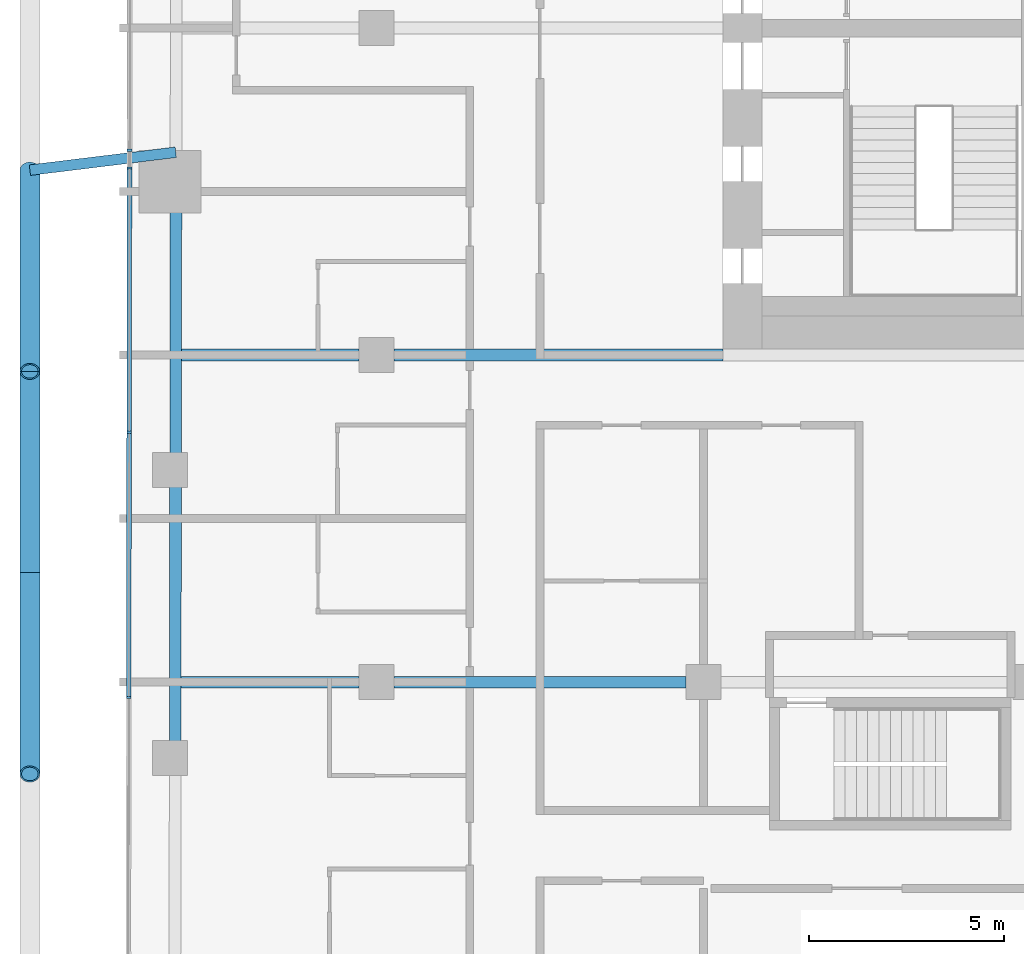
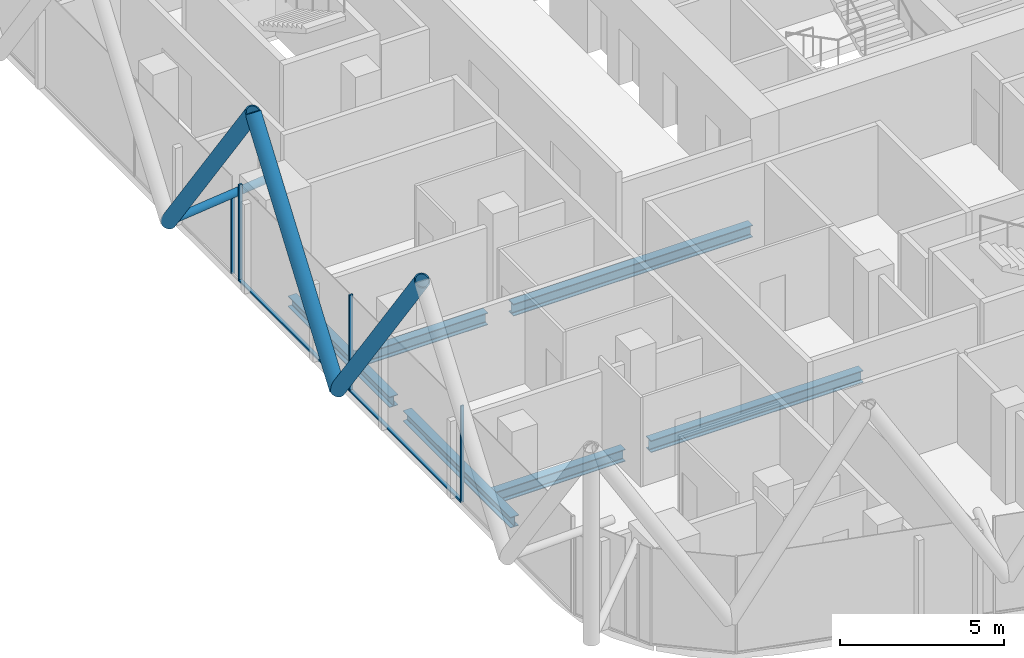
# One storey, part 4 of 36: 10 members, 6 beams, 2 elements without a shape of their own.
"""IFC4 building model written with IfcOpenShell, lengths in metres."""

from ifc_helpers import new_model, si_unit, direction, frame, origin, origin_2d, place, context, subcontext, project, spatial, rectangle, hollow_circle, i_section, extrude, material, layer, layer_set, material_profile, profile_set, type_object, element, aggregate, save


model = new_model("IFC4")

# Units and contexts
model_context = context("Model", 3, precision=1e-05, world=origin(), true_north=direction((0.0, 1.0)))
body_context = subcontext(model_context, "Body", "Model", "MODEL_VIEW")
ifc_project = project(units=[si_unit("LENGTHUNIT", "METRE"), si_unit("AREAUNIT", "SQUARE_METRE"), si_unit("VOLUMEUNIT", "CUBIC_METRE"), si_unit("PLANEANGLEUNIT", "RADIAN"), si_unit("MASSUNIT", "GRAM", prefix="KILO")], contexts=[model_context])

# Site, building, storey
site_placement = place(None, origin())
site = spatial("IfcSite", under=ifc_project, at=site_placement, CompositionType="ELEMENT")
building_placement = place(site_placement, origin())
building = spatial("IfcBuilding", under=site, at=building_placement, Name="Marenta Gate Hotel Tower", CompositionType="ELEMENT")
storey_placement = place(building_placement, frame((0.0, 0.0, 144.5)))
storey = spatial("IfcBuildingStorey", under=building, at=storey_placement, Name="L33", CompositionType="ELEMENT", Elevation=144.5)

# Members
ifc_material_1 = material(Name="Steel S355J2W", Category="steel")
ifc_material_profile_1 = material_profile(ifc_material_1, hollow_circle(Radius=0.25390625, WallThickness=0.0400390625, at=origin_2d()), Name="CHS 508x40")
ifc_profile_set_1 = profile_set([ifc_material_profile_1], Name="Steel S355J2W")
member_type_1 = type_object("IfcMemberType", Name="Diagrid diagonal Z2 CHS 508x40", PredefinedType="BRACE", material=ifc_profile_set_1)
for number, where, z_axis, x_axis, name in (
    (1, (-29.89990234375, -5.590087890625, 3.139892578125), (0.0, -0.583247791947, 0.812294289767), (1.0, 0.0, 0.0), "L33-DG-27"),
    (2, (-29.89990234375, -5.590087890625, 3.139892578125), (0.0, 0.583247791947, 0.812294289767), (-1.0, 0.0, 0.0), "L33-DG-28"),
):
    element("IfcMember", number, at=place(storey_placement, frame(where, z_axis=z_axis, x_axis=x_axis)), inside=storey, type_object=member_type_1, Name=name, PredefinedType="BRACE", context=body_context, shape_type="SweptSolid", body=[
        extrude(hollow_circle(Radius=0.25390625, WallThickness=0.0400390625, at=origin_2d()), origin(), (0.0, 0.0, 1.0), 8.864013671875),
    ])
member_1_placement = place(storey_placement, frame((-29.89990234375, 4.75, 3.139892578125), z_axis=(0.0, -0.583265964901, 0.81228124082), x_axis=(1.0, 0.0, 0.0)))
element("IfcMember", 3, at=member_1_placement, inside=storey, type_object=member_type_1, Name="L33-DG-29", PredefinedType="BRACE", context=body_context, shape_type="SweptSolid", body=[
    extrude(hollow_circle(Radius=0.25390625, WallThickness=0.0400390625, at=origin_2d()), origin(), (0.0, 0.0, 1.0), 8.8642578125),
])

# Beams
ifc_material_2 = material(Name="Steel S355", Category="steel")
ifc_material_profile_2 = material_profile(ifc_material_2, i_section(OverallWidth=0.300048828125, OverallDepth=0.39990234375, WebThickness=0.013427734375, FlangeThickness=0.02392578125, FilletRadius=0.027099609375, at=origin_2d()), Name="HEB 400")
ifc_profile_set_2 = profile_set([ifc_material_profile_2], Name="Steel S355")
beam_type_1 = type_object("IfcBeamType", Name="Edge beam HEB 400", PredefinedType="SPANDREL", material=ifc_profile_set_2)
beam_1_placement = place(storey_placement, frame((-26.167236328125, -9.94189453125, -0.4599609375), z_axis=(0.001372605919, 0.999999057976, 0.0), x_axis=(-0.999999057976, 0.001372605919, 0.0)))
element("IfcBeam", 4, at=beam_1_placement, inside=storey, type_object=beam_type_1, Name="L33-EB-6", PredefinedType="SPANDREL", context=body_context, shape_type="SweptSolid", body=[
    extrude(i_section(OverallWidth=0.300048828125, OverallDepth=0.39990234375, WebThickness=0.013427734375, FlangeThickness=0.02392578125, FilletRadius=0.027099609375, at=origin_2d()), origin(), (0.0, 0.0, 1.0), 6.5810546875),
])
beam_2_placement = place(storey_placement, frame((-26.156982421875, -2.541015625, -0.4599609375), z_axis=(0.001371364591, 0.999999059679, 0.0), x_axis=(-0.999999059679, 0.001371364591, 0.0)))
element("IfcBeam", 5, at=beam_2_placement, inside=storey, type_object=beam_type_1, Name="L33-EB-7", PredefinedType="SPANDREL", context=body_context, shape_type="SweptSolid", body=[
    extrude(i_section(OverallWidth=0.300048828125, OverallDepth=0.39990234375, WebThickness=0.013427734375, FlangeThickness=0.02392578125, FilletRadius=0.027099609375, at=origin_2d()), origin(), (0.0, 0.0, 1.0), 6.23095703125),
])

# Member
ifc_material_3 = material(Name="Steel S355J2W", Category="steel")
ifc_material_profile_3 = material_profile(ifc_material_3, hollow_circle(Radius=0.136474609375, WallThickness=0.012451171875, at=origin_2d()), Name="CHS 273x12.5")
ifc_profile_set_3 = profile_set([ifc_material_profile_3], Name="Steel S355J2W")
member_type_2 = type_object("IfcMemberType", Name="Floor tie CHS 273x12.5", PredefinedType="STRUT", material=ifc_profile_set_3)
member_2_placement = place(storey_placement, frame((-29.89990234375, 4.75, 3.139892578125), z_axis=(0.992572528932, 0.121654325075, 0.0), x_axis=(-0.121654325075, 0.992572528932, 0.0)))
element("IfcMember", 6, at=member_2_placement, inside=storey, type_object=member_type_2, Name="L33-DR-20", PredefinedType="STRUT", context=body_context, shape_type="SweptSolid", body=[
    extrude(hollow_circle(Radius=0.136474609375, WallThickness=0.012451171875, at=origin_2d()), origin(), (0.0, 0.0, 1.0), 3.77490234375),
])

# Beams
ifc_material_4 = material(Name="Steel S355", Category="steel")
ifc_material_profile_4 = material_profile(ifc_material_4, i_section(OverallWidth=0.300048828125, OverallDepth=0.449951171875, WebThickness=0.013916015625, FlangeThickness=0.02587890625, FilletRadius=0.027099609375, at=origin_2d()), Name="HEB 450")
ifc_profile_set_4 = profile_set([ifc_material_profile_4], Name="Steel S355")
beam_type_2 = type_object("IfcBeamType", Name="Girder HEB 450", PredefinedType="BEAM", material=ifc_profile_set_4)
beam_3_placement = place(storey_placement, frame((-26.01513671875, -8.39990234375, -0.485107421875), z_axis=(1.0, 0.0, 0.0), x_axis=(0.0, 1.0, 0.0)))
element("IfcBeam", 7, at=beam_3_placement, inside=storey, type_object=beam_type_2, Name="L33-GD-8", PredefinedType="BEAM", context=body_context, shape_type="SweptSolid", body=[
    extrude(i_section(OverallWidth=0.300048828125, OverallDepth=0.449951171875, WebThickness=0.013916015625, FlangeThickness=0.02587890625, FilletRadius=0.027099609375, at=origin_2d()), origin(), (0.0, 0.0, 1.0), 4.565185546875),
])
beam_4_placement = place(storey_placement, frame((-20.550048828125, -8.39990234375, -0.485107421875), z_axis=(1.0, 0.0, 0.0), x_axis=(0.0, 1.0, 0.0)))
element("IfcBeam", 8, at=beam_4_placement, inside=storey, type_object=beam_type_2, Name="L33-GD-9", PredefinedType="BEAM", context=body_context, shape_type="SweptSolid", body=[
    extrude(i_section(OverallWidth=0.300048828125, OverallDepth=0.449951171875, WebThickness=0.013916015625, FlangeThickness=0.02587890625, FilletRadius=0.027099609375, at=origin_2d()), origin(), (0.0, 0.0, 1.0), 7.5),
])
beam_5_placement = place(storey_placement, frame((-26.003662109375, 0.0, -0.485107421875), z_axis=(1.0, 0.0, 0.0), x_axis=(0.0, 1.0, 0.0)))
element("IfcBeam", 9, at=beam_5_placement, inside=storey, type_object=beam_type_2, Name="L33-GD-15", PredefinedType="BEAM", context=body_context, shape_type="SweptSolid", body=[
    extrude(i_section(OverallWidth=0.300048828125, OverallDepth=0.449951171875, WebThickness=0.013916015625, FlangeThickness=0.02587890625, FilletRadius=0.027099609375, at=origin_2d()), origin(), (0.0, 0.0, 1.0), 4.5537109375),
])
beam_6_placement = place(storey_placement, frame((-20.550048828125, 0.0, -0.485107421875), z_axis=(1.0, 0.0, 0.0), x_axis=(0.0, 1.0, 0.0)))
element("IfcBeam", 10, at=beam_6_placement, inside=storey, type_object=beam_type_2, Name="L33-GD-16", PredefinedType="BEAM", context=body_context, shape_type="SweptSolid", body=[
    extrude(i_section(OverallWidth=0.300048828125, OverallDepth=0.449951171875, WebThickness=0.013916015625, FlangeThickness=0.02587890625, FilletRadius=0.027099609375, at=origin_2d()), origin(), (0.0, 0.0, 1.0), 8.449951171875),
])

# Curtain wall, member
ifc_material_5 = material(Name="Tinted insulated glass in bronze anodised frame", Category="glass")
ifc_layer = layer(ifc_material_5, 0.1201171875)
ifc_layer_set = layer_set([ifc_layer], Name="Tinted insulated glass in bronze anodised frame")
curtain_wall_type = type_object("IfcCurtainWallType", Name="Tower unitised curtain wall CW1", PredefinedType="NOTDEFINED", material=ifc_layer_set)
curtain_wall_1_placement = place(storey_placement, origin())
curtain_wall_1 = element("IfcCurtainWall", 11, at=curtain_wall_1_placement, inside=storey, type_object=curtain_wall_type, Name="CW1 run G07", PredefinedType="NOTDEFINED")
ifc_material_6 = material(Name="Bronze anodised aluminium", Category="aluminium")
ifc_material_profile_5 = material_profile(ifc_material_6, rectangle(XDim=0.1201171875, YDim=0.06005859375, at=origin_2d()), Name="Mullion CW1 60x120 bronze anodised aluminium")
ifc_profile_set_5 = profile_set([ifc_material_profile_5], Name="Bronze anodised aluminium")
member_type_3 = type_object("IfcMemberType", Name="Mullion CW1 60x120 bronze anodised aluminium", PredefinedType="MULLION", material=ifc_profile_set_5)
member_3_placement = place(storey_placement, frame((-27.34033203125, 5.261962890625, 0.0), z_axis=(0.0, 0.0, 1.0), x_axis=(0.999998824335, -0.001533404542, 0.0)))
member_3 = element("IfcMember", 12, at=member_3_placement, type_object=member_type_3, Name="CW1 mullion 1", PredefinedType="MULLION", context=body_context, shape_type="SweptSolid", body=[
    extrude(rectangle(XDim=0.1201171875, YDim=0.06005859375, at=origin_2d()), origin(), (0.0, 0.0, 1.0), 3.00048828125),
])
aggregate(curtain_wall_1, [member_3])

# Curtain wall, members
curtain_wall_2_placement = place(storey_placement, origin())
curtain_wall_2 = element("IfcCurtainWall", 13, at=curtain_wall_2_placement, inside=storey, type_object=curtain_wall_type, Name="CW1 run G08", PredefinedType="NOTDEFINED")
member_4_placement = place(storey_placement, frame((-27.341064453125, 4.805419921875, 0.0), z_axis=(0.0, 0.0, 1.0), x_axis=(0.999998775571, -0.001564882094, 0.0)))
member_4 = element("IfcMember", 14, at=member_4_placement, type_object=member_type_3, Name="CW1 mullion 1", PredefinedType="MULLION", context=body_context, shape_type="SweptSolid", body=[
    extrude(rectangle(XDim=0.1201171875, YDim=0.06005859375, at=origin_2d()), origin(), (0.0, 0.0, 1.0), 3.60009765625),
])
member_5_placement = place(storey_placement, frame((-27.3515625, -1.98095703125, 0.0), z_axis=(0.0, 0.0, 1.0), x_axis=(0.999998775571, -0.001564882094, 0.0)))
member_5 = element("IfcMember", 15, at=member_5_placement, type_object=member_type_3, Name="CW1 mullion 2", PredefinedType="MULLION", context=body_context, shape_type="SweptSolid", body=[
    extrude(rectangle(XDim=0.1201171875, YDim=0.06005859375, at=origin_2d()), origin(), (0.0, 0.0, 1.0), 3.60009765625),
])
member_6_placement = place(storey_placement, frame((-27.3623046875, -8.797119140625, 0.0), z_axis=(0.0, 0.0, 1.0), x_axis=(0.999998775571, -0.001564882094, 0.0)))
member_6 = element("IfcMember", 16, at=member_6_placement, type_object=member_type_3, Name="CW1 mullion 3", PredefinedType="MULLION", context=body_context, shape_type="SweptSolid", body=[
    extrude(rectangle(XDim=0.1201171875, YDim=0.06005859375, at=origin_2d()), origin(), (0.0, 0.0, 1.0), 3.60009765625),
])
ifc_material_7 = material(Name="Bronze anodised aluminium", Category="aluminium")
ifc_material_profile_6 = material_profile(ifc_material_7, rectangle(XDim=0.1201171875, YDim=0.06005859375, at=origin_2d()), Name="Transom CW1 60x120 bronze anodised aluminium")
ifc_profile_set_6 = profile_set([ifc_material_profile_6], Name="Bronze anodised aluminium")
member_type_4 = type_object("IfcMemberType", Name="Transom CW1 60x120 bronze anodised aluminium", PredefinedType="USERDEFINED", material=ifc_profile_set_6)
member_7_placement = place(storey_placement, frame((-27.341064453125, 4.775390625, 0.030029296875), z_axis=(-0.001560739996, -0.999998782045, 0.0), x_axis=(0.999998782045, -0.001560739996, 0.0)))
member_7 = element("IfcMember", 17, at=member_7_placement, type_object=member_type_4, Name="CW1 transom 1.1", ObjectType="TRANSOM", PredefinedType="USERDEFINED", context=body_context, shape_type="SweptSolid", body=[
    extrude(rectangle(XDim=0.1201171875, YDim=0.06005859375, at=origin_2d()), origin(), (0.0, 0.0, 1.0), 6.726318359375),
])
member_8_placement = place(storey_placement, frame((-27.3515625, -2.010986328125, 0.030029296875), z_axis=(-0.001589995461, -0.999998735956, 0.0), x_axis=(0.999998735956, -0.001589995461, 0.0)))
member_8 = element("IfcMember", 18, at=member_8_placement, type_object=member_type_4, Name="CW1 transom 2.1", ObjectType="TRANSOM", PredefinedType="USERDEFINED", context=body_context, shape_type="SweptSolid", body=[
    extrude(rectangle(XDim=0.1201171875, YDim=0.06005859375, at=origin_2d()), origin(), (0.0, 0.0, 1.0), 6.756103515625),
])
aggregate(curtain_wall_2, [member_4, member_5, member_6, member_7, member_8])

save(model, "model.ifc")
